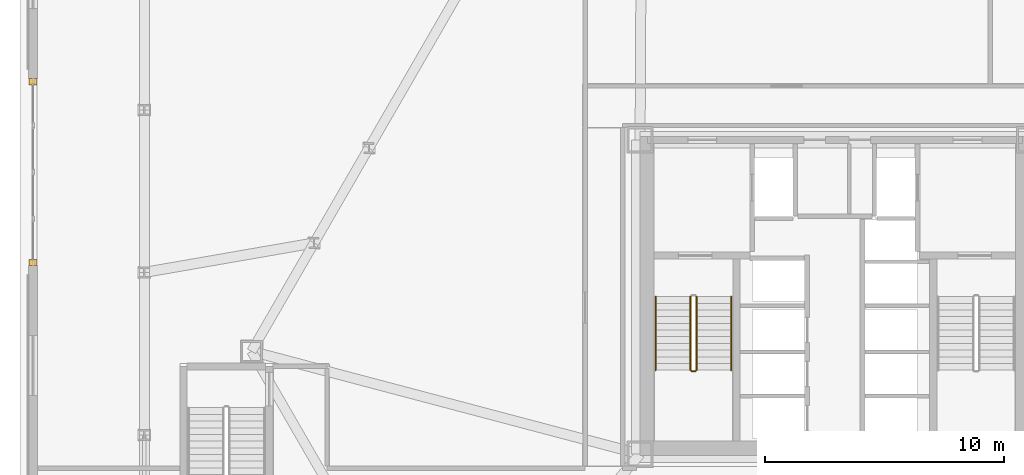
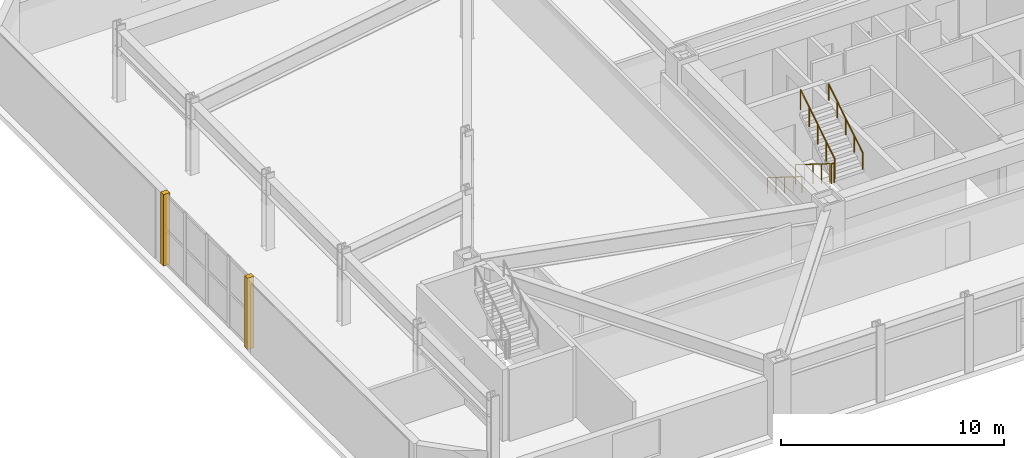
# One storey, part 19 of 22: 5 railings, 2 coverings.
"""IFC4 building model written with IfcOpenShell, lengths in metres."""

from ifc_helpers import new_model, si_unit, direction, frame, origin, origin_2d, place, context, subcontext, project, spatial, rectangle, circle, extrude, material, layer, layer_set, type_object, element, save


model = new_model("IFC4")

# Units and contexts
model_context = context("Model", 3, precision=1e-05, world=origin(), true_north=direction((0.0, 1.0)))
body_context = subcontext(model_context, "Body", "Model", "MODEL_VIEW")
ifc_project = project(units=[si_unit("LENGTHUNIT", "METRE"), si_unit("AREAUNIT", "SQUARE_METRE"), si_unit("VOLUMEUNIT", "CUBIC_METRE"), si_unit("PLANEANGLEUNIT", "RADIAN"), si_unit("MASSUNIT", "GRAM", prefix="KILO")], contexts=[model_context])

# Site, building, storey
site_placement = place(None, origin())
site = spatial("IfcSite", under=ifc_project, at=site_placement, CompositionType="ELEMENT")
building_placement = place(site_placement, origin())
building = spatial("IfcBuilding", under=site, at=building_placement, Name="Oramaril Tower", CompositionType="ELEMENT")
storey_placement = place(building_placement, frame((0.0, 0.0, 14.10009765625)))
storey = spatial("IfcBuildingStorey", under=building, at=storey_placement, Name="L03", CompositionType="ELEMENT", Elevation=14.10009765625)

# Coverings
ifc_material_1 = material(Name="Warm Cream Limestone", Category="masonry")
ifc_layer = layer(ifc_material_1, 0.050048828125)
ifc_layer_set = layer_set([ifc_layer], Name="CVT-CLD")
covering_type = type_object("IfcCoveringType", Name="CVT-CLD", PredefinedType="CLADDING", material=ifc_layer_set)
for number, where, z_axis, x_axis, name in (
    (1, (3.949951171875, 26.580078125, 0.0), (0.0, 0.0, 1.0), (0.0, -1.0, 0.0), "L03 Curtain Wall Limestone Jamb Closure"),
    (2, (3.949951171875, 19.02001953125, 0.0), (0.0, 0.0, 1.0), (0.0, -1.0, 0.0), "L03 Curtain Wall Limestone Jamb Closure"),
):
    element("IfcCovering", number, at=place(storey_placement, frame(where, z_axis=z_axis, x_axis=x_axis)), inside=storey, type_object=covering_type, Name=name, PredefinedType="CLADDING", context=body_context, shape_type="SweptSolid", body=[
        extrude(rectangle(XDim=0.260009765625, YDim=0.340087890625, at=origin_2d()), origin(), (0.0, 0.0, 1.0), 3.919921875),
    ])

# Railings
ifc_material_2 = material(Name="Stainless Steel 316L", Category="steel")
railing_type_1 = type_object("IfcRailingType", Name="RLT-GRD", PredefinedType="GUARDRAIL", material=ifc_material_2)
railing_1_placement = place(storey_placement, frame((31.4599609375, 17.590087890625, 0.1748046875)))
element("IfcRailing", 3, at=railing_1_placement, inside=storey, type_object=railing_type_1, Name="L03 ST-1 stair guard 1", PredefinedType="GUARDRAIL", context=body_context, shape_type="SweptSolid", body=[
    extrude(circle(Radius=0.02392578125, at=origin_2d()), frame((0.0, 0.0, 1.076171875), z_axis=(0.0, -0.847998304005, 0.529998940003), x_axis=(1.0, 0.0, 0.0)), (0.0, 0.0, 1.0), 3.632080078125),
    extrude(circle(Radius=0.02099609375, at=origin_2d()), origin(), (0.0, 0.0, 1.0), 1.052001953125),
    extrude(circle(Radius=0.02099609375, at=origin_2d()), frame((0.0, -0.77001953125, 0.481201171875)), (0.0, 0.0, 1.0), 1.052001953125),
    extrude(circle(Radius=0.02099609375, at=origin_2d()), frame((0.0, -1.5400390625, 0.96240234375)), (0.0, 0.0, 1.0), 1.052001953125),
    extrude(circle(Radius=0.02099609375, at=origin_2d()), frame((0.0, -2.31005859375, 1.44384765625)), (0.0, 0.0, 1.0), 1.052001953125),
    extrude(circle(Radius=0.02099609375, at=origin_2d()), frame((0.0, -3.080078125, 1.925048828125)), (0.0, 0.0, 1.0), 1.052001953125),
])
railing_2_placement = place(storey_placement, frame((31.510009765625, 14.4599609375, 2.099853515625)))
element("IfcRailing", 4, at=railing_2_placement, inside=storey, type_object=railing_type_1, Name="L03 ST-1 stair guard 2", PredefinedType="GUARDRAIL", context=body_context, shape_type="SweptSolid", body=[
    extrude(circle(Radius=0.02392578125, at=origin_2d()), frame((0.0, 0.0, 1.076171875), z_axis=(1.0, 0.0, 0.0), x_axis=(0.0, 1.0, 0.0)), (0.0, 0.0, 1.0), 0.14990234375),
    extrude(circle(Radius=0.02099609375, at=origin_2d()), origin(), (0.0, 0.0, 1.0), 1.052001953125),
    extrude(circle(Radius=0.02099609375, at=origin_2d()), frame((0.14990234375, 0.0, 0.0)), (0.0, 0.0, 1.0), 1.052001953125),
])
railing_3_placement = place(storey_placement, frame((31.7099609375, 14.510009765625, 2.27490234375)))
element("IfcRailing", 5, at=railing_3_placement, inside=storey, type_object=railing_type_1, Name="L03 ST-1 stair guard 3", PredefinedType="GUARDRAIL", context=body_context, shape_type="SweptSolid", body=[
    extrude(circle(Radius=0.02392578125, at=origin_2d()), frame((0.0, 0.0, 1.076171875), z_axis=(0.0, 0.847998304005, 0.529998940003), x_axis=(-1.0, 0.0, 0.0)), (0.0, 0.0, 1.0), 3.632080078125),
    extrude(circle(Radius=0.02099609375, at=origin_2d()), origin(), (0.0, 0.0, 1.0), 1.052001953125),
    extrude(circle(Radius=0.02099609375, at=origin_2d()), frame((0.0, 0.77001953125, 0.481201171875)), (0.0, 0.0, 1.0), 1.052001953125),
    extrude(circle(Radius=0.02099609375, at=origin_2d()), frame((0.0, 1.5400390625, 0.96240234375)), (0.0, 0.0, 1.0), 1.052001953125),
    extrude(circle(Radius=0.02099609375, at=origin_2d()), frame((0.0, 2.31005859375, 1.44384765625)), (0.0, 0.0, 1.0), 1.052001953125),
    extrude(circle(Radius=0.02099609375, at=origin_2d()), frame((0.0, 3.080078125, 1.925048828125)), (0.0, 0.0, 1.0), 1.052001953125),
])
ifc_material_3 = material(Name="Stainless Steel 316L", Category="steel")
railing_type_2 = type_object("IfcRailingType", Name="RLT-HND", PredefinedType="HANDRAIL", material=ifc_material_3)
railing_4_placement = place(storey_placement, frame((30.0, 17.590087890625, 0.1748046875)))
element("IfcRailing", 6, at=railing_4_placement, inside=storey, type_object=railing_type_2, Name="L03 ST-1 stair handrail 1", PredefinedType="HANDRAIL", context=body_context, shape_type="SweptSolid", body=[
    extrude(circle(Radius=0.02392578125, at=origin_2d()), frame((0.0, 0.0, 0.8759765625), z_axis=(0.0, -0.847998304005, 0.529998940003), x_axis=(1.0, 0.0, 0.0)), (0.0, 0.0, 1.0), 3.632080078125),
    extrude(circle(Radius=0.02099609375, at=origin_2d()), origin(), (0.0, 0.0, 1.0), 0.851806640625),
    extrude(circle(Radius=0.02099609375, at=origin_2d()), frame((0.0, -0.77001953125, 0.481201171875)), (0.0, 0.0, 1.0), 0.851806640625),
    extrude(circle(Radius=0.02099609375, at=origin_2d()), frame((0.0, -1.5400390625, 0.96240234375)), (0.0, 0.0, 1.0), 0.851806640625),
    extrude(circle(Radius=0.02099609375, at=origin_2d()), frame((0.0, -2.31005859375, 1.44384765625)), (0.0, 0.0, 1.0), 0.851806640625),
    extrude(circle(Radius=0.02099609375, at=origin_2d()), frame((0.0, -3.080078125, 1.925048828125)), (0.0, 0.0, 1.0), 0.851806640625),
])
railing_5_placement = place(storey_placement, frame((33.169921875, 14.510009765625, 2.27490234375)))
element("IfcRailing", 7, at=railing_5_placement, inside=storey, type_object=railing_type_2, Name="L03 ST-1 stair handrail 2", PredefinedType="HANDRAIL", context=body_context, shape_type="SweptSolid", body=[
    extrude(circle(Radius=0.02392578125, at=origin_2d()), frame((0.0, 0.0, 0.8759765625), z_axis=(0.0, 0.847998304005, 0.529998940003), x_axis=(-1.0, 0.0, 0.0)), (0.0, 0.0, 1.0), 3.632080078125),
    extrude(circle(Radius=0.02099609375, at=origin_2d()), origin(), (0.0, 0.0, 1.0), 0.851806640625),
    extrude(circle(Radius=0.02099609375, at=origin_2d()), frame((0.0, 0.77001953125, 0.481201171875)), (0.0, 0.0, 1.0), 0.851806640625),
    extrude(circle(Radius=0.02099609375, at=origin_2d()), frame((0.0, 1.5400390625, 0.96240234375)), (0.0, 0.0, 1.0), 0.851806640625),
    extrude(circle(Radius=0.02099609375, at=origin_2d()), frame((0.0, 2.31005859375, 1.44384765625)), (0.0, 0.0, 1.0), 0.851806640625),
    extrude(circle(Radius=0.02099609375, at=origin_2d()), frame((0.0, 3.080078125, 1.925048828125)), (0.0, 0.0, 1.0), 0.851806640625),
])

save(model, "model.ifc")
